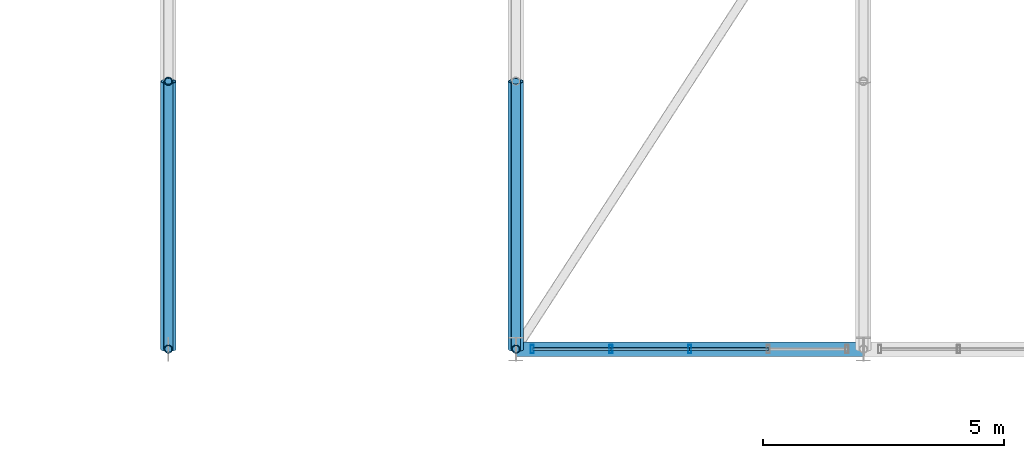
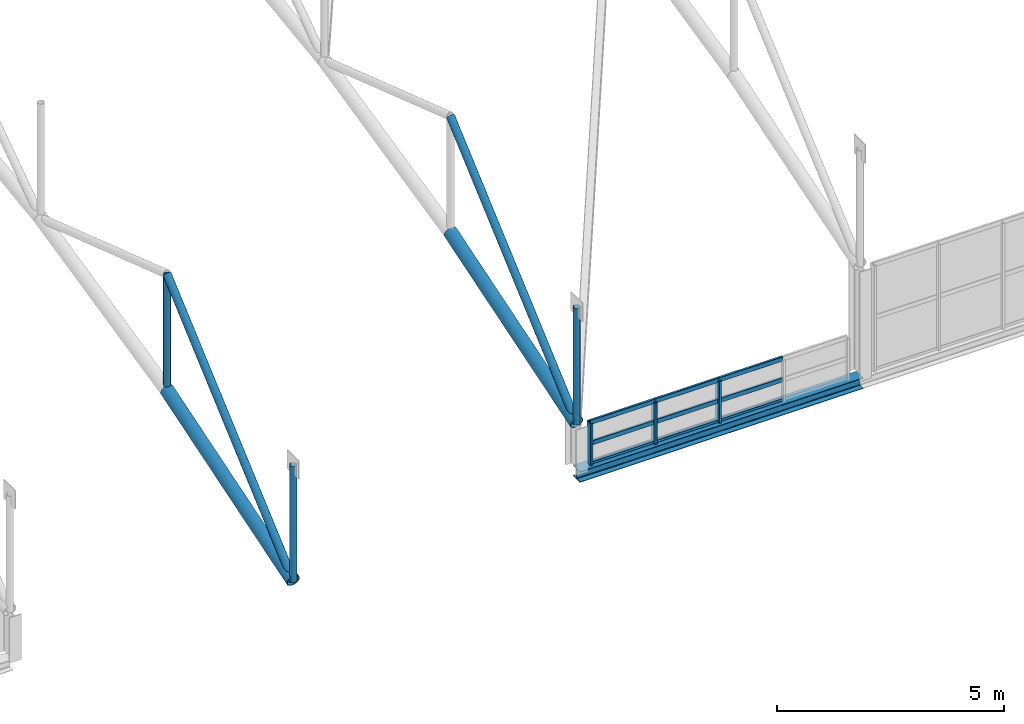
# One storey, part 38 of 153: 19 members, 1 beam, 1 element without a shape of its own.
"""IFC4 building model written with IfcOpenShell, lengths in metres."""

from ifc_helpers import new_model, si_unit, derived_unit, direction, frame, origin, origin_2d, place, context, subcontext, project, spatial, hollow_rectangle, hollow_circle, i_section, extrude, material, material_profile, profile_set, type_object, element, aggregate, save


model = new_model("IFC4")

# Units and contexts
model_context = context("Model", 3, precision=1e-05, world=origin(), true_north=direction((0.0, 1.0)))
body_context = subcontext(model_context, "Body", "Model", "MODEL_VIEW")
ifc_project = project(units=[si_unit("LENGTHUNIT", "METRE"), si_unit("AREAUNIT", "SQUARE_METRE"), si_unit("VOLUMEUNIT", "CUBIC_METRE"), si_unit("PLANEANGLEUNIT", "RADIAN"), si_unit("MASSUNIT", "GRAM", prefix="KILO"), derived_unit("THERMALTRANSMITTANCEUNIT", [(si_unit("POWERUNIT", "WATT"), 1), (si_unit("LENGTHUNIT", "METRE"), -2), (si_unit("THERMODYNAMICTEMPERATUREUNIT", "KELVIN"), -1)])], contexts=[model_context])

# Site, building, storey
site_placement = place(None, origin())
site = spatial("IfcSite", under=ifc_project, at=site_placement, CompositionType="ELEMENT")
building_placement = place(site_placement, origin())
building = spatial("IfcBuilding", under=site, at=building_placement, Name="Keldorne Ridge Multi-Sports Centre", CompositionType="ELEMENT")
storey_placement = place(building_placement, frame((0.0, 0.0, 9.60009765625)))
storey = spatial("IfcBuildingStorey", under=building, at=storey_placement, Name="L02", CompositionType="ELEMENT", Elevation=9.60009765625)

# Beam
ifc_material_1 = material(Name="Steel S355", Category="steel")
ifc_material_profile_1 = material_profile(ifc_material_1, i_section(OverallWidth=0.300048828125, OverallDepth=0.2900390625, WebThickness=0.008544921875, FlangeThickness=0.013916015625, FilletRadius=0.027099609375, at=origin_2d()), Name="HEA 300")
ifc_profile_set_1 = profile_set([ifc_material_profile_1], Name="Steel S355")
beam_type = type_object("IfcBeamType", Name="BM-SP-04", PredefinedType="SPANDREL", material=ifc_profile_set_1)
beam_placement = place(storey_placement, frame((49.199951171875, 9.60009765625, -0.150146484375), z_axis=(1.0, 0.0, 0.0), x_axis=(0.0, 1.0, 0.0)))
element("IfcBeam", 1, at=beam_placement, inside=storey, type_object=beam_type, Name="Main Hall south spandrel L02.7", PredefinedType="SPANDREL", context=body_context, shape_type="SweptSolid", body=[
    extrude(i_section(OverallWidth=0.300048828125, OverallDepth=0.2900390625, WebThickness=0.008544921875, FlangeThickness=0.013916015625, FilletRadius=0.027099609375, at=origin_2d()), origin(), (0.0, 0.0, 1.0), 7.199951171875),
])

# Curtain wall, members
ifc_material_2 = material(Name="Anodized aluminium", Category="aluminium")
curtain_wall_type = type_object("IfcCurtainWallType", Name="CW-CW-02", PredefinedType="NOTDEFINED", material=ifc_material_2)
curtain_wall_placement = place(storey_placement, origin())
curtain_wall = element("IfcCurtainWall", 2, at=curtain_wall_placement, inside=storey, type_object=curtain_wall_type, Name="Main Hall south high clerestory 018", PredefinedType="NOTDEFINED")
ifc_material_profile_2 = material_profile(ifc_material_2, hollow_rectangle(XDim=0.06494140625, YDim=0.179931640625, WallThickness=0.00439453125, InnerFilletRadius=0.00439453125, OuterFilletRadius=0.009033203125, at=origin_2d()), Name="ALU MULLION 180x65x4.5")
ifc_profile_set_2 = profile_set([ifc_material_profile_2], Name="Anodized aluminium")
member_type_1 = type_object("IfcMemberType", Name="MEM-ML-01", PredefinedType="MULLION", material=ifc_profile_set_2)
member_1_placement = place(storey_placement, frame((49.5400390625, 9.60009765625, 0.0), z_axis=(0.0, 0.0, 1.0), x_axis=(1.0, 0.0, 0.0)))
member_1 = element("IfcMember", 3, at=member_1_placement, type_object=member_type_1, Name="CW-018 vertical mullion 1", PredefinedType="MULLION", context=body_context, shape_type="SweptSolid", body=[
    extrude(hollow_rectangle(XDim=0.06494140625, YDim=0.179931640625, WallThickness=0.00439453125, InnerFilletRadius=0.00439453125, OuterFilletRadius=0.009033203125, at=origin_2d()), origin(), (0.0, 0.0, 1.0), 1.119873046875),
])
member_2_placement = place(storey_placement, frame((51.169921875, 9.60009765625, 0.0), z_axis=(0.0, 0.0, 1.0), x_axis=(1.0, 0.0, 0.0)))
member_2 = element("IfcMember", 4, at=member_2_placement, type_object=member_type_1, Name="CW-018 vertical mullion 2", PredefinedType="MULLION", context=body_context, shape_type="SweptSolid", body=[
    extrude(hollow_rectangle(XDim=0.06494140625, YDim=0.179931640625, WallThickness=0.00439453125, InnerFilletRadius=0.00439453125, OuterFilletRadius=0.009033203125, at=origin_2d()), origin(), (0.0, 0.0, 1.0), 1.119873046875),
])
member_3_placement = place(storey_placement, frame((52.800048828125, 9.60009765625, 0.0), z_axis=(0.0, 0.0, 1.0), x_axis=(1.0, 0.0, 0.0)))
member_3 = element("IfcMember", 5, at=member_3_placement, type_object=member_type_1, Name="CW-018 vertical mullion 3", PredefinedType="MULLION", context=body_context, shape_type="SweptSolid", body=[
    extrude(hollow_rectangle(XDim=0.06494140625, YDim=0.179931640625, WallThickness=0.00439453125, InnerFilletRadius=0.00439453125, OuterFilletRadius=0.009033203125, at=origin_2d()), origin(), (0.0, 0.0, 1.0), 1.119873046875),
])

# Members
ifc_material_profile_3 = material_profile(ifc_material_1, hollow_circle(Radius=0.161865234375, WallThickness=0.01611328125, at=origin_2d()), Name="CHS 323.9x16")
ifc_profile_set_3 = profile_set([ifc_material_profile_3], Name="Steel S355")
member_type_2 = type_object("IfcMemberType", Name="MEM-TC-02", PredefinedType="CHORD", material=ifc_profile_set_3)
for number, where, z_axis, x_axis, name in (
    (6, (42.0, 9.60009765625, -0.5), (0.0, 0.953709395146, 0.300729761763), (-1.0, 0.0, 0.0), "Main Hall ROOF TRUSS AT-06 bottom chord 1"),
    (7, (49.199951171875, 9.60009765625, 1.219970703125), (0.0, 0.953709395146, 0.300729761763), (-1.0, 0.0, 0.0), "Main Hall ROOF TRUSS AT-07 bottom chord 1"),
):
    element("IfcMember", number, at=place(storey_placement, frame(where, z_axis=z_axis, x_axis=x_axis)), inside=storey, type_object=member_type_2, Name=name, PredefinedType="CHORD", context=body_context, shape_type="SweptSolid", body=[
        extrude(hollow_circle(Radius=0.161865234375, WallThickness=0.01611328125, at=origin_2d()), origin(), (0.0, 0.0, 1.0), 5.819091796875),
    ])
ifc_material_profile_4 = material_profile(ifc_material_1, hollow_circle(Radius=0.096923828125, WallThickness=0.010009765625, at=origin_2d()), Name="CHS 193.7x10")
ifc_profile_set_4 = profile_set([ifc_material_profile_4], Name="Steel S355")
member_type_3 = type_object("IfcMemberType", Name="MEM-TD-01", PredefinedType="BRACE", material=ifc_profile_set_4)
for number, where, z_axis, x_axis, name in (
    (8, (42.0, 9.60009765625, -0.5), (0.0, 0.751650110512, 0.659562060285), (-1.0, 0.0, 0.0), "Main Hall ROOF TRUSS AT-06 diagonal 1"),
    (9, (49.199951171875, 9.60009765625, 1.219970703125), (0.0, 0.751650110512, 0.659562060285), (-1.0, 0.0, 0.0), "Main Hall ROOF TRUSS AT-07 diagonal 1"),
):
    element("IfcMember", number, at=place(storey_placement, frame(where, z_axis=z_axis, x_axis=x_axis)), inside=storey, type_object=member_type_3, Name=name, PredefinedType="BRACE", context=body_context, shape_type="SweptSolid", body=[
        extrude(hollow_circle(Radius=0.096923828125, WallThickness=0.010009765625, at=origin_2d()), origin(), (0.0, 0.0, 1.0), 7.383544921875),
    ])

# Member
ifc_material_profile_5 = material_profile(ifc_material_2, hollow_rectangle(XDim=0.06005859375, YDim=0.1201171875, WallThickness=0.00390625, InnerFilletRadius=0.00390625, OuterFilletRadius=0.008056640625, at=origin_2d()), Name="ALU TRANSOM 120x60x4")
ifc_profile_set_5 = profile_set([ifc_material_profile_5], Name="Anodized aluminium")
member_type_4 = type_object("IfcMemberType", Name="MEM-TR-02", PredefinedType="USERDEFINED", material=ifc_profile_set_5)
member_4_placement = place(storey_placement, frame((49.5400390625, 9.60009765625, 0.0), z_axis=(1.0, 0.0, 0.0), x_axis=(0.0, 1.0, 0.0)))
member_4 = element("IfcMember", 10, at=member_4_placement, type_object=member_type_4, Name="CW-018 transom 1.1", ObjectType="TRANSOM", PredefinedType="USERDEFINED", context=body_context, shape_type="SweptSolid", body=[
    extrude(hollow_rectangle(XDim=0.06005859375, YDim=0.1201171875, WallThickness=0.00390625, InnerFilletRadius=0.00390625, OuterFilletRadius=0.008056640625, at=origin_2d()), origin(), (0.0, 0.0, 1.0), 1.6298828125),
])

member_5_placement = place(storey_placement, frame((49.5400390625, 9.60009765625, 0.559814453125), z_axis=(1.0, 0.0, 0.0), x_axis=(0.0, 1.0, 0.0)))
member_5 = element("IfcMember", 11, at=member_5_placement, type_object=member_type_4, Name="CW-018 transom 1.2", ObjectType="TRANSOM", PredefinedType="USERDEFINED", context=body_context, shape_type="SweptSolid", body=[
    extrude(hollow_rectangle(XDim=0.06005859375, YDim=0.1201171875, WallThickness=0.00390625, InnerFilletRadius=0.00390625, OuterFilletRadius=0.008056640625, at=origin_2d()), origin(), (0.0, 0.0, 1.0), 1.6298828125),
])

member_6_placement = place(storey_placement, frame((49.5400390625, 9.60009765625, 1.119873046875), z_axis=(1.0, 0.0, 0.0), x_axis=(0.0, 1.0, 0.0)))
member_6 = element("IfcMember", 12, at=member_6_placement, type_object=member_type_4, Name="CW-018 transom 1.3", ObjectType="TRANSOM", PredefinedType="USERDEFINED", context=body_context, shape_type="SweptSolid", body=[
    extrude(hollow_rectangle(XDim=0.06005859375, YDim=0.1201171875, WallThickness=0.00390625, InnerFilletRadius=0.00390625, OuterFilletRadius=0.008056640625, at=origin_2d()), origin(), (0.0, 0.0, 1.0), 1.6298828125),
])

member_7_placement = place(storey_placement, frame((51.169921875, 9.60009765625, 0.0), z_axis=(1.0, 0.0, 0.0), x_axis=(0.0, 1.0, 0.0)))
member_7 = element("IfcMember", 13, at=member_7_placement, type_object=member_type_4, Name="CW-018 transom 2.1", ObjectType="TRANSOM", PredefinedType="USERDEFINED", context=body_context, shape_type="SweptSolid", body=[
    extrude(hollow_rectangle(XDim=0.06005859375, YDim=0.1201171875, WallThickness=0.00390625, InnerFilletRadius=0.00390625, OuterFilletRadius=0.008056640625, at=origin_2d()), origin(), (0.0, 0.0, 1.0), 1.630126953125),
])

member_8_placement = place(storey_placement, frame((51.169921875, 9.60009765625, 0.559814453125), z_axis=(1.0, 0.0, 0.0), x_axis=(0.0, 1.0, 0.0)))
member_8 = element("IfcMember", 14, at=member_8_placement, type_object=member_type_4, Name="CW-018 transom 2.2", ObjectType="TRANSOM", PredefinedType="USERDEFINED", context=body_context, shape_type="SweptSolid", body=[
    extrude(hollow_rectangle(XDim=0.06005859375, YDim=0.1201171875, WallThickness=0.00390625, InnerFilletRadius=0.00390625, OuterFilletRadius=0.008056640625, at=origin_2d()), origin(), (0.0, 0.0, 1.0), 1.630126953125),
])

member_9_placement = place(storey_placement, frame((51.169921875, 9.60009765625, 1.119873046875), z_axis=(1.0, 0.0, 0.0), x_axis=(0.0, 1.0, 0.0)))
member_9 = element("IfcMember", 15, at=member_9_placement, type_object=member_type_4, Name="CW-018 transom 2.3", ObjectType="TRANSOM", PredefinedType="USERDEFINED", context=body_context, shape_type="SweptSolid", body=[
    extrude(hollow_rectangle(XDim=0.06005859375, YDim=0.1201171875, WallThickness=0.00390625, InnerFilletRadius=0.00390625, OuterFilletRadius=0.008056640625, at=origin_2d()), origin(), (0.0, 0.0, 1.0), 1.630126953125),
])

member_10_placement = place(storey_placement, frame((52.800048828125, 9.60009765625, 0.0), z_axis=(1.0, 0.0, 0.0), x_axis=(0.0, 1.0, 0.0)))
member_10 = element("IfcMember", 16, at=member_10_placement, type_object=member_type_4, Name="CW-018 transom 3.1", ObjectType="TRANSOM", PredefinedType="USERDEFINED", context=body_context, shape_type="SweptSolid", body=[
    extrude(hollow_rectangle(XDim=0.06005859375, YDim=0.1201171875, WallThickness=0.00390625, InnerFilletRadius=0.00390625, OuterFilletRadius=0.008056640625, at=origin_2d()), origin(), (0.0, 0.0, 1.0), 1.6298828125),
])

member_11_placement = place(storey_placement, frame((52.800048828125, 9.60009765625, 0.559814453125), z_axis=(1.0, 0.0, 0.0), x_axis=(0.0, 1.0, 0.0)))
member_11 = element("IfcMember", 17, at=member_11_placement, type_object=member_type_4, Name="CW-018 transom 3.2", ObjectType="TRANSOM", PredefinedType="USERDEFINED", context=body_context, shape_type="SweptSolid", body=[
    extrude(hollow_rectangle(XDim=0.06005859375, YDim=0.1201171875, WallThickness=0.00390625, InnerFilletRadius=0.00390625, OuterFilletRadius=0.008056640625, at=origin_2d()), origin(), (0.0, 0.0, 1.0), 1.6298828125),
])

member_12_placement = place(storey_placement, frame((52.800048828125, 9.60009765625, 1.119873046875), z_axis=(1.0, 0.0, 0.0), x_axis=(0.0, 1.0, 0.0)))
member_12 = element("IfcMember", 18, at=member_12_placement, type_object=member_type_4, Name="CW-018 transom 3.3", ObjectType="TRANSOM", PredefinedType="USERDEFINED", context=body_context, shape_type="SweptSolid", body=[
    extrude(hollow_rectangle(XDim=0.06005859375, YDim=0.1201171875, WallThickness=0.00390625, InnerFilletRadius=0.00390625, OuterFilletRadius=0.008056640625, at=origin_2d()), origin(), (0.0, 0.0, 1.0), 1.6298828125),
])

aggregate(curtain_wall, [member_1, member_2, member_3, member_4, member_5, member_6, member_7, member_8, member_9, member_10, member_11, member_12])

# Members
ifc_material_profile_6 = material_profile(ifc_material_1, hollow_circle(Radius=0.084228515625, WallThickness=0.010009765625, at=origin_2d()), Name="CHS 168.3x10")
ifc_profile_set_6 = profile_set([ifc_material_profile_6], Name="Steel S355")
member_type_5 = type_object("IfcMemberType", Name="MEM-TV-01", PredefinedType="STRUT", material=ifc_profile_set_6)
for number, where, z_axis, x_axis, name in (
    (19, (42.0, 9.60009765625, -0.5), (0.0, 0.0, 1.0), (1.0, 0.0, 0.0), "Main Hall ROOF TRUSS AT-06 vertical 1"),
    (20, (42.0, 15.14990234375, 1.25), (0.0, 0.0, 1.0), (1.0, 0.0, 0.0), "Main Hall ROOF TRUSS AT-06 vertical 2"),
    (21, (49.199951171875, 9.60009765625, 1.219970703125), (0.0, 0.0, 1.0), (1.0, 0.0, 0.0), "Main Hall ROOF TRUSS AT-07 vertical 1"),
):
    element("IfcMember", number, at=place(storey_placement, frame(where, z_axis=z_axis, x_axis=x_axis)), inside=storey, type_object=member_type_5, Name=name, PredefinedType="STRUT", context=body_context, shape_type="SweptSolid", body=[
        extrude(hollow_circle(Radius=0.084228515625, WallThickness=0.010009765625, at=origin_2d()), origin(), (0.0, 0.0, 1.0), 3.119873046875),
    ])

save(model, "model.ifc")
